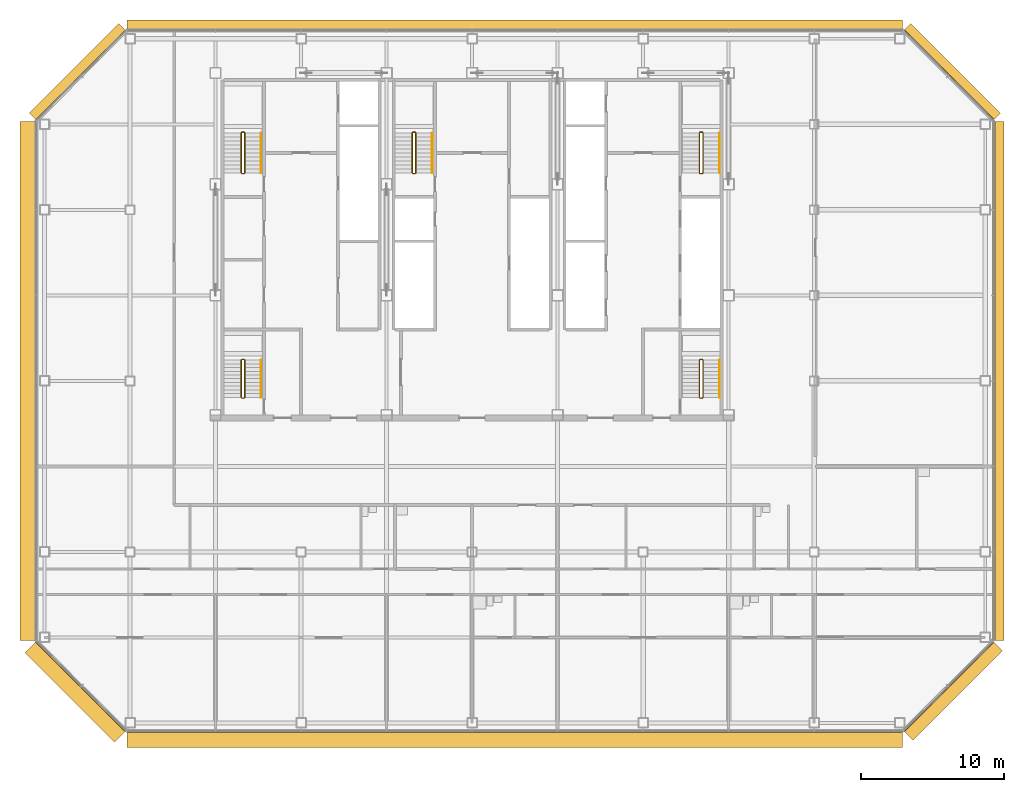
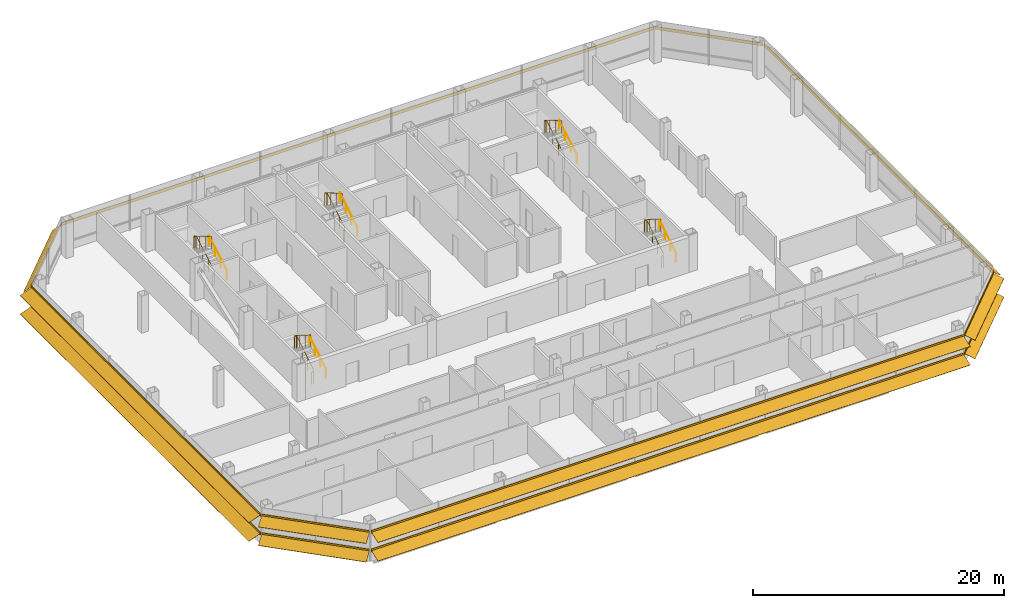
# One storey, part 23 of 24: 10 railings, 8 shading devices.
"""IFC4 building model written with IfcOpenShell, lengths in metres."""

from ifc_helpers import new_model, si_unit, direction, frame, origin, origin_2d, place, context, subcontext, project, spatial, polyline, circle, outline, composite_profile, extrude, material, type_object, element, save


model = new_model("IFC4")

# Units and contexts
model_context = context("Model", 3, precision=1e-05, world=origin(), true_north=direction((0.0, 1.0)))
body_context = subcontext(model_context, "Body", "Model", "MODEL_VIEW")
ifc_project = project(units=[si_unit("LENGTHUNIT", "METRE"), si_unit("AREAUNIT", "SQUARE_METRE"), si_unit("VOLUMEUNIT", "CUBIC_METRE"), si_unit("PLANEANGLEUNIT", "RADIAN"), si_unit("MASSUNIT", "GRAM", prefix="KILO")], contexts=[model_context])

# Site, building, storey
site_placement = place(None, origin())
site = spatial("IfcSite", under=ifc_project, at=site_placement, CompositionType="ELEMENT")
building_placement = place(site_placement, origin())
building = spatial("IfcBuilding", under=site, at=building_placement, Name="Sorahane Residences", CompositionType="ELEMENT")
storey_placement = place(building_placement, frame((0.0, 0.0, 174.39990234375)))
storey = spatial("IfcBuildingStorey", under=building, at=storey_placement, Name="L40", CompositionType="ELEMENT", Elevation=174.39990234375)

# Shading devices
ifc_material_1 = material(Name="Terracotta anodised aluminium", Category="masonry")
shading_device_type_1 = type_object("IfcShadingDeviceType", Name="Louvre sunshade blade E terracotta aluminium 700", PredefinedType="JALOUSIE", material=ifc_material_1)
shading_device_1_placement = place(storey_placement, frame((60.60009765625, 5.801513671875, 2.7001953125), z_axis=(0.0, 1.0, 0.0), x_axis=(-1.0, 0.0, 0.0)))
element("IfcShadingDevice", 1, at=shading_device_1_placement, inside=storey, type_object=shading_device_type_1, Name="Louvre sunshade blade bank E L40 E1", PredefinedType="JALOUSIE", context=body_context, shape_type="SweptSolid", body=[
    extrude(outline(polyline([(-0.719970703125, -0.49365234375), (-0.719970703125, -0.523681640625), (-0.080078125, -0.05859375), (-0.080078125, -0.14990234375), (-0.02001953125, -0.14990234375), (-0.02001953125, -0.014892578125), (-0.02001953125, 0.014892578125), (-0.02001953125, 0.14990234375), (-0.080078125, 0.14990234375), (-0.080078125, -0.028564453125), (-0.719970703125, -0.49365234375)])), origin(), (0.0, 0.0, 1.0), 36.39697265625),
])
ifc_material_2 = material(Name="Terracotta anodised aluminium", Category="masonry")
shading_device_type_2 = type_object("IfcShadingDeviceType", Name="Louvre sunshade blade N terracotta aluminium 700", PredefinedType="JALOUSIE", material=ifc_material_2)
shading_device_2_placement = place(storey_placement, frame((54.198486328125, 48.60009765625, 2.7001953125), z_axis=(-1.0, 0.0, 0.0), x_axis=(0.0, -1.0, 0.0)))
element("IfcShadingDevice", 2, at=shading_device_2_placement, inside=storey, type_object=shading_device_type_2, Name="Louvre sunshade blade bank N L40 N1", PredefinedType="JALOUSIE", context=body_context, shape_type="SweptSolid", body=[
    extrude(outline(polyline([(-0.719970703125, -0.660888671875), (-0.719970703125, -0.69091796875), (-0.080078125, -0.072998046875), (-0.080078125, -0.14990234375), (-0.02001953125, -0.14990234375), (-0.02001953125, -0.014892578125), (-0.02001953125, 0.014892578125), (-0.02001953125, 0.14990234375), (-0.080078125, 0.14990234375), (-0.080078125, -0.04296875), (-0.719970703125, -0.660888671875)])), origin(), (0.0, 0.0, 1.0), 54.39697265625),
])
ifc_material_3 = material(Name="Terracotta anodised aluminium", Category="masonry")
shading_device_type_3 = type_object("IfcShadingDeviceType", Name="Louvre sunshade blade NE terracotta aluminium 700", PredefinedType="JALOUSIE", material=ifc_material_3)
shading_device_3_placement = place(storey_placement, frame((60.564697265625, 42.283935546875, 2.7001953125), z_axis=(-0.707106781187, 0.707106781187, 0.0), x_axis=(-0.707106781187, -0.707106781187, 0.0)))
element("IfcShadingDevice", 3, at=shading_device_3_placement, inside=storey, type_object=shading_device_type_3, Name="Louvre sunshade blade bank NE L40 NE1", PredefinedType="JALOUSIE", context=body_context, shape_type="SweptSolid", body=[
    extrude(outline(polyline([(-0.719970703125, -0.572509765625), (-0.719970703125, -0.602294921875), (-0.080078125, -0.065185546875), (-0.080078125, -0.14990234375), (-0.02001953125, -0.14990234375), (-0.02001953125, -0.014892578125), (-0.02001953125, 0.014892578125), (-0.02001953125, 0.14990234375), (-0.080078125, 0.14990234375), (-0.080078125, -0.035400390625), (-0.719970703125, -0.572509765625)])), origin(), (0.0, 0.0, 1.0), 8.88232421875),
])
ifc_material_4 = material(Name="Terracotta anodised aluminium", Category="masonry")
shading_device_type_4 = type_object("IfcShadingDeviceType", Name="Louvre sunshade blade NW terracotta aluminium 700", PredefinedType="JALOUSIE", material=ifc_material_4)
shading_device_4_placement = place(storey_placement, frame((-0.283935546875, 48.564697265625, 2.7001953125), z_axis=(-0.707106781187, -0.707106781187, 0.0), x_axis=(0.707106781187, -0.707106781187, 0.0)))
element("IfcShadingDevice", 4, at=shading_device_4_placement, inside=storey, type_object=shading_device_type_4, Name="Louvre sunshade blade bank NW L40 NW1", PredefinedType="JALOUSIE", context=body_context, shape_type="SweptSolid", body=[
    extrude(outline(polyline([(-0.719970703125, -0.660888671875), (-0.719970703125, -0.69091796875), (-0.080078125, -0.072998046875), (-0.080078125, -0.14990234375), (-0.02001953125, -0.14990234375), (-0.02001953125, -0.014892578125), (-0.02001953125, 0.014892578125), (-0.02001953125, 0.14990234375), (-0.080078125, 0.14990234375), (-0.080078125, -0.04296875), (-0.719970703125, -0.660888671875)])), origin(), (0.0, 0.0, 1.0), 8.88232421875),
])
ifc_material_5 = material(Name="Terracotta anodised aluminium", Category="masonry")
shading_device_type_5 = type_object("IfcShadingDeviceType", Name="Louvre sunshade blade S terracotta aluminium 1100", PredefinedType="JALOUSIE", material=ifc_material_5)
shading_device_5_placement = place(storey_placement, frame((-0.198486328125, -0.60009765625, 0.900146484375), z_axis=(1.0, 0.0, 0.0), x_axis=(0.0, 1.0, 0.0)))
element("IfcShadingDevice", 5, at=shading_device_5_placement, inside=storey, type_object=shading_device_type_5, Name="Louvre sunshade blade bank S L40 S1", PredefinedType="JALOUSIE", context=body_context, shape_type="SweptSolid", body=[
    extrude(composite_profile([outline(polyline([(-1.1201171875, -0.385498046875), (-1.1201171875, -0.415283203125), (-0.080078125, -0.036865234375), (-0.080078125, -0.14990234375), (-0.02001953125, -0.14990234375), (-0.02001953125, -0.014892578125), (-0.02001953125, 0.014892578125), (-0.02001953125, 0.14990234375), (-0.080078125, 0.14990234375), (-0.080078125, -0.0068359375), (-1.1201171875, -0.385498046875)])), outline(polyline([(-1.1201171875, 1.41455078125), (-1.1201171875, 1.384521484375), (-0.080078125, 1.76318359375), (-0.080078125, 1.64990234375), (-0.02001953125, 1.64990234375), (-0.02001953125, 1.784912109375), (-0.02001953125, 1.81494140625), (-0.02001953125, 1.949951171875), (-0.080078125, 1.949951171875), (-0.080078125, 1.793212890625), (-1.1201171875, 1.41455078125)]))]), origin(), (0.0, 0.0, 1.0), 54.39697265625),
])
ifc_material_6 = material(Name="Terracotta anodised aluminium", Category="masonry")
shading_device_type_6 = type_object("IfcShadingDeviceType", Name="Louvre sunshade blade SE terracotta aluminium 900", PredefinedType="JALOUSIE", material=ifc_material_6)
shading_device_6_placement = place(storey_placement, frame((54.283935546875, -0.564697265625, 0.900146484375), z_axis=(0.707106781187, 0.707106781187, 0.0), x_axis=(-0.707106781187, 0.707106781187, 0.0)))
element("IfcShadingDevice", 6, at=shading_device_6_placement, inside=storey, type_object=shading_device_type_6, Name="Louvre sunshade blade bank SE L40 SE1", PredefinedType="JALOUSIE", context=body_context, shape_type="SweptSolid", body=[
    extrude(composite_profile([outline(polyline([(-0.919921875, -0.3486328125), (-0.919921875, -0.378662109375), (-0.080078125, -0.039306640625), (-0.080078125, -0.14990234375), (-0.02001953125, -0.14990234375), (-0.02001953125, -0.014892578125), (-0.02001953125, 0.014892578125), (-0.02001953125, 0.14990234375), (-0.080078125, 0.14990234375), (-0.080078125, -0.00927734375), (-0.919921875, -0.3486328125)])), outline(polyline([(-0.919921875, 1.451416015625), (-0.919921875, 1.42138671875), (-0.080078125, 1.7607421875), (-0.080078125, 1.64990234375), (-0.02001953125, 1.64990234375), (-0.02001953125, 1.784912109375), (-0.02001953125, 1.81494140625), (-0.02001953125, 1.949951171875), (-0.080078125, 1.949951171875), (-0.080078125, 1.790771484375), (-0.919921875, 1.451416015625)]))]), origin(), (0.0, 0.0, 1.0), 8.88232421875),
])
ifc_material_7 = material(Name="Terracotta anodised aluminium", Category="masonry")
shading_device_type_7 = type_object("IfcShadingDeviceType", Name="Louvre sunshade blade SW terracotta aluminium 1100", PredefinedType="JALOUSIE", material=ifc_material_7)
shading_device_7_placement = place(storey_placement, frame((-6.564697265625, 5.716064453125, 0.900146484375), z_axis=(0.707106781187, -0.707106781187, 0.0), x_axis=(0.707106781187, 0.707106781187, 0.0)))
element("IfcShadingDevice", 7, at=shading_device_7_placement, inside=storey, type_object=shading_device_type_7, Name="Louvre sunshade blade bank SW L40 SW1", PredefinedType="JALOUSIE", context=body_context, shape_type="SweptSolid", body=[
    extrude(composite_profile([outline(polyline([(-1.1201171875, -0.385498046875), (-1.1201171875, -0.415283203125), (-0.080078125, -0.036865234375), (-0.080078125, -0.14990234375), (-0.02001953125, -0.14990234375), (-0.02001953125, -0.014892578125), (-0.02001953125, 0.014892578125), (-0.02001953125, 0.14990234375), (-0.080078125, 0.14990234375), (-0.080078125, -0.0068359375), (-1.1201171875, -0.385498046875)])), outline(polyline([(-1.1201171875, 1.41455078125), (-1.1201171875, 1.384521484375), (-0.080078125, 1.76318359375), (-0.080078125, 1.64990234375), (-0.02001953125, 1.64990234375), (-0.02001953125, 1.784912109375), (-0.02001953125, 1.81494140625), (-0.02001953125, 1.949951171875), (-0.080078125, 1.949951171875), (-0.080078125, 1.793212890625), (-1.1201171875, 1.41455078125)]))]), origin(), (0.0, 0.0, 1.0), 8.88232421875),
])
ifc_material_8 = material(Name="Terracotta anodised aluminium", Category="masonry")
shading_device_type_8 = type_object("IfcShadingDeviceType", Name="Louvre sunshade blade W terracotta aluminium 1100", PredefinedType="JALOUSIE", material=ifc_material_8)
shading_device_8_placement = place(storey_placement, frame((-6.60009765625, 42.198486328125, 0.900146484375), z_axis=(0.0, -1.0, 0.0), x_axis=(1.0, 0.0, 0.0)))
element("IfcShadingDevice", 8, at=shading_device_8_placement, inside=storey, type_object=shading_device_type_8, Name="Louvre sunshade blade bank W L40 W1", PredefinedType="JALOUSIE", context=body_context, shape_type="SweptSolid", body=[
    extrude(composite_profile([outline(polyline([(-1.1201171875, -0.385498046875), (-1.1201171875, -0.415283203125), (-0.080078125, -0.036865234375), (-0.080078125, -0.14990234375), (-0.02001953125, -0.14990234375), (-0.02001953125, -0.014892578125), (-0.02001953125, 0.014892578125), (-0.02001953125, 0.14990234375), (-0.080078125, 0.14990234375), (-0.080078125, -0.0068359375), (-1.1201171875, -0.385498046875)])), outline(polyline([(-1.1201171875, 1.41455078125), (-1.1201171875, 1.384521484375), (-0.080078125, 1.76318359375), (-0.080078125, 1.64990234375), (-0.02001953125, 1.64990234375), (-0.02001953125, 1.784912109375), (-0.02001953125, 1.81494140625), (-0.02001953125, 1.949951171875), (-0.080078125, 1.949951171875), (-0.080078125, 1.793212890625), (-1.1201171875, 1.41455078125)]))]), origin(), (0.0, 0.0, 1.0), 36.39697265625),
])

# Railings
ifc_material_9 = material(Name="Steel Q355B", Category="steel")
railing_type_1 = type_object("IfcRailingType", Name="Stair guard 1200 Steel Q355B", PredefinedType="GUARDRAIL", material=ifc_material_9)
railing_1_placement = place(storey_placement, frame((7.85009765625, 38.550048828125, 0.0)))
element("IfcRailing", 9, at=railing_1_placement, inside=storey, type_object=railing_type_1, Name="L40 S1 stair guard 1", PredefinedType="GUARDRAIL", context=body_context, shape_type="SweptSolid", body=[
    extrude(circle(Radius=0.02392578125, at=origin_2d()), frame((0.0, 0.0, 1.17578125), z_axis=(1.0, 0.0, 0.0), x_axis=(0.0, 1.0, 0.0)), (0.0, 0.0, 1.0), 0.14990234375),
    extrude(circle(Radius=0.02392578125, at=origin_2d()), frame((0.14990234375, 0.0, 1.17578125), z_axis=(0.280456126637, 0.280456126637, 0.917980785237), x_axis=(-0.707106781187, 0.707106781187, 0.0)), (0.0, 0.0, 1.0), 0.178466796875),
    extrude(circle(Radius=0.02392578125, at=origin_2d()), frame((0.199951171875, 0.050048828125, 1.33984375), z_axis=(0.0, 0.863374499697, 0.504563646405), x_axis=(-1.0, 0.0, 0.0)), (0.0, 0.0, 1.0), 3.242919921875),
    extrude(circle(Radius=0.02392578125, at=origin_2d()), frame((0.199951171875, 2.849853515625, 2.97607421875), z_axis=(-0.707106781187, 0.707106781187, 0.0), x_axis=(-0.707106781187, -0.707106781187, 0.0)), (0.0, 0.0, 1.0), 0.07080078125),
    extrude(circle(Radius=0.02392578125, at=origin_2d()), frame((0.14990234375, 2.89990234375, 2.97607421875), z_axis=(-1.0, 0.0, 0.0), x_axis=(0.0, -1.0, 0.0)), (0.0, 0.0, 1.0), 0.14990234375),
    extrude(circle(Radius=0.02392578125, at=origin_2d()), frame((0.0, 2.89990234375, 2.97607421875), z_axis=(-0.280808744504, -0.280808744504, 0.917765164963), x_axis=(0.707106781187, -0.707106781187, 0.0)), (0.0, 0.0, 1.0), 0.17822265625),
    extrude(circle(Radius=0.02392578125, at=origin_2d()), frame((-0.050048828125, 2.849853515625, 3.1396484375), z_axis=(0.0, -0.863341702679, 0.504619762213), x_axis=(1.0, 0.0, 0.0)), (0.0, 0.0, 1.0), 3.242919921875),
    extrude(circle(Radius=0.02099609375, at=origin_2d()), origin(), (0.0, 0.0, 1.0), 1.15185546875),
    extrude(circle(Radius=0.02099609375, at=origin_2d()), frame((0.14990234375, 0.0, 0.0)), (0.0, 0.0, 1.0), 1.15185546875),
    extrude(circle(Radius=0.02099609375, at=origin_2d()), frame((0.199951171875, 0.050048828125, 0.163818359375)), (0.0, 0.0, 1.0), 1.15185546875),
    extrude(circle(Radius=0.02099609375, at=origin_2d()), frame((0.199951171875, 0.9833984375, 0.709228515625)), (0.0, 0.0, 1.0), 1.15185546875),
    extrude(circle(Radius=0.02099609375, at=origin_2d()), frame((0.199951171875, 1.91650390625, 1.254638671875)), (0.0, 0.0, 1.0), 1.15185546875),
    extrude(circle(Radius=0.02099609375, at=origin_2d()), frame((0.199951171875, 2.849853515625, 1.800048828125)), (0.0, 0.0, 1.0), 1.15185546875),
    extrude(circle(Radius=0.02099609375, at=origin_2d()), frame((0.14990234375, 2.89990234375, 1.800048828125)), (0.0, 0.0, 1.0), 1.15185546875),
    extrude(circle(Radius=0.02099609375, at=origin_2d()), frame((0.0, 2.89990234375, 1.800048828125)), (0.0, 0.0, 1.0), 1.15185546875),
    extrude(circle(Radius=0.02099609375, at=origin_2d()), frame((-0.050048828125, 2.849853515625, 1.963623046875)), (0.0, 0.0, 1.0), 1.15185546875),
    extrude(circle(Radius=0.02099609375, at=origin_2d()), frame((-0.050048828125, 1.91650390625, 2.509033203125)), (0.0, 0.0, 1.0), 1.15185546875),
    extrude(circle(Radius=0.02099609375, at=origin_2d()), frame((-0.050048828125, 0.9833984375, 3.0546875)), (0.0, 0.0, 1.0), 1.15185546875),
    extrude(circle(Radius=0.02099609375, at=origin_2d()), frame((-0.050048828125, 0.050048828125, 3.60009765625)), (0.0, 0.0, 1.0), 1.15185546875),
])
railing_2_placement = place(storey_placement, frame((40.0, 38.550048828125, 0.0)))
element("IfcRailing", 10, at=railing_2_placement, inside=storey, type_object=railing_type_1, Name="L40 S2 stair guard 1", PredefinedType="GUARDRAIL", context=body_context, shape_type="SweptSolid", body=[
    extrude(circle(Radius=0.02392578125, at=origin_2d()), frame((0.0, 0.0, 1.17578125), z_axis=(1.0, 0.0, 0.0), x_axis=(0.0, 1.0, 0.0)), (0.0, 0.0, 1.0), 0.14990234375),
    extrude(circle(Radius=0.02392578125, at=origin_2d()), frame((0.14990234375, 0.0, 1.17578125), z_axis=(0.280456126637, 0.280456126637, 0.917980785237), x_axis=(-0.707106781187, 0.707106781187, 0.0)), (0.0, 0.0, 1.0), 0.178466796875),
    extrude(circle(Radius=0.02392578125, at=origin_2d()), frame((0.199951171875, 0.050048828125, 1.33984375), z_axis=(0.0, 0.863374499697, 0.504563646405), x_axis=(-1.0, 0.0, 0.0)), (0.0, 0.0, 1.0), 3.242919921875),
    extrude(circle(Radius=0.02392578125, at=origin_2d()), frame((0.199951171875, 2.849853515625, 2.97607421875), z_axis=(-0.707106781187, 0.707106781187, 0.0), x_axis=(-0.707106781187, -0.707106781187, 0.0)), (0.0, 0.0, 1.0), 0.07080078125),
    extrude(circle(Radius=0.02392578125, at=origin_2d()), frame((0.14990234375, 2.89990234375, 2.97607421875), z_axis=(-1.0, 0.0, 0.0), x_axis=(0.0, -1.0, 0.0)), (0.0, 0.0, 1.0), 0.14990234375),
    extrude(circle(Radius=0.02392578125, at=origin_2d()), frame((0.0, 2.89990234375, 2.97607421875), z_axis=(-0.280808744504, -0.280808744504, 0.917765164963), x_axis=(0.707106781187, -0.707106781187, 0.0)), (0.0, 0.0, 1.0), 0.17822265625),
    extrude(circle(Radius=0.02392578125, at=origin_2d()), frame((-0.050048828125, 2.849853515625, 3.1396484375), z_axis=(0.0, -0.863341702679, 0.504619762213), x_axis=(1.0, 0.0, 0.0)), (0.0, 0.0, 1.0), 3.242919921875),
    extrude(circle(Radius=0.02099609375, at=origin_2d()), origin(), (0.0, 0.0, 1.0), 1.15185546875),
    extrude(circle(Radius=0.02099609375, at=origin_2d()), frame((0.14990234375, 0.0, 0.0)), (0.0, 0.0, 1.0), 1.15185546875),
    extrude(circle(Radius=0.02099609375, at=origin_2d()), frame((0.199951171875, 0.050048828125, 0.163818359375)), (0.0, 0.0, 1.0), 1.15185546875),
    extrude(circle(Radius=0.02099609375, at=origin_2d()), frame((0.199951171875, 0.9833984375, 0.709228515625)), (0.0, 0.0, 1.0), 1.15185546875),
    extrude(circle(Radius=0.02099609375, at=origin_2d()), frame((0.199951171875, 1.91650390625, 1.254638671875)), (0.0, 0.0, 1.0), 1.15185546875),
    extrude(circle(Radius=0.02099609375, at=origin_2d()), frame((0.199951171875, 2.849853515625, 1.800048828125)), (0.0, 0.0, 1.0), 1.15185546875),
    extrude(circle(Radius=0.02099609375, at=origin_2d()), frame((0.14990234375, 2.89990234375, 1.800048828125)), (0.0, 0.0, 1.0), 1.15185546875),
    extrude(circle(Radius=0.02099609375, at=origin_2d()), frame((0.0, 2.89990234375, 1.800048828125)), (0.0, 0.0, 1.0), 1.15185546875),
    extrude(circle(Radius=0.02099609375, at=origin_2d()), frame((-0.050048828125, 2.849853515625, 1.963623046875)), (0.0, 0.0, 1.0), 1.15185546875),
    extrude(circle(Radius=0.02099609375, at=origin_2d()), frame((-0.050048828125, 1.91650390625, 2.509033203125)), (0.0, 0.0, 1.0), 1.15185546875),
    extrude(circle(Radius=0.02099609375, at=origin_2d()), frame((-0.050048828125, 0.9833984375, 3.0546875)), (0.0, 0.0, 1.0), 1.15185546875),
    extrude(circle(Radius=0.02099609375, at=origin_2d()), frame((-0.050048828125, 0.050048828125, 3.60009765625)), (0.0, 0.0, 1.0), 1.15185546875),
])
railing_3_placement = place(storey_placement, frame((19.85009765625, 38.550048828125, 0.0)))
element("IfcRailing", 11, at=railing_3_placement, inside=storey, type_object=railing_type_1, Name="L40 S3 stair guard 1", PredefinedType="GUARDRAIL", context=body_context, shape_type="SweptSolid", body=[
    extrude(circle(Radius=0.02392578125, at=origin_2d()), frame((0.0, 0.0, 1.17578125), z_axis=(1.0, 0.0, 0.0), x_axis=(0.0, 1.0, 0.0)), (0.0, 0.0, 1.0), 0.14990234375),
    extrude(circle(Radius=0.02392578125, at=origin_2d()), frame((0.14990234375, 0.0, 1.17578125), z_axis=(0.280456126637, 0.280456126637, 0.917980785237), x_axis=(-0.707106781187, 0.707106781187, 0.0)), (0.0, 0.0, 1.0), 0.178466796875),
    extrude(circle(Radius=0.02392578125, at=origin_2d()), frame((0.199951171875, 0.050048828125, 1.33984375), z_axis=(0.0, 0.863374499697, 0.504563646405), x_axis=(-1.0, 0.0, 0.0)), (0.0, 0.0, 1.0), 3.242919921875),
    extrude(circle(Radius=0.02392578125, at=origin_2d()), frame((0.199951171875, 2.849853515625, 2.97607421875), z_axis=(-0.707106781187, 0.707106781187, 0.0), x_axis=(-0.707106781187, -0.707106781187, 0.0)), (0.0, 0.0, 1.0), 0.07080078125),
    extrude(circle(Radius=0.02392578125, at=origin_2d()), frame((0.14990234375, 2.89990234375, 2.97607421875), z_axis=(-1.0, 0.0, 0.0), x_axis=(0.0, -1.0, 0.0)), (0.0, 0.0, 1.0), 0.14990234375),
    extrude(circle(Radius=0.02392578125, at=origin_2d()), frame((0.0, 2.89990234375, 2.97607421875), z_axis=(-0.280808744504, -0.280808744504, 0.917765164963), x_axis=(0.707106781187, -0.707106781187, 0.0)), (0.0, 0.0, 1.0), 0.17822265625),
    extrude(circle(Radius=0.02392578125, at=origin_2d()), frame((-0.050048828125, 2.849853515625, 3.1396484375), z_axis=(0.0, -0.863341702679, 0.504619762213), x_axis=(1.0, 0.0, 0.0)), (0.0, 0.0, 1.0), 3.242919921875),
    extrude(circle(Radius=0.02099609375, at=origin_2d()), origin(), (0.0, 0.0, 1.0), 1.15185546875),
    extrude(circle(Radius=0.02099609375, at=origin_2d()), frame((0.14990234375, 0.0, 0.0)), (0.0, 0.0, 1.0), 1.15185546875),
    extrude(circle(Radius=0.02099609375, at=origin_2d()), frame((0.199951171875, 0.050048828125, 0.163818359375)), (0.0, 0.0, 1.0), 1.15185546875),
    extrude(circle(Radius=0.02099609375, at=origin_2d()), frame((0.199951171875, 0.9833984375, 0.709228515625)), (0.0, 0.0, 1.0), 1.15185546875),
    extrude(circle(Radius=0.02099609375, at=origin_2d()), frame((0.199951171875, 1.91650390625, 1.254638671875)), (0.0, 0.0, 1.0), 1.15185546875),
    extrude(circle(Radius=0.02099609375, at=origin_2d()), frame((0.199951171875, 2.849853515625, 1.800048828125)), (0.0, 0.0, 1.0), 1.15185546875),
    extrude(circle(Radius=0.02099609375, at=origin_2d()), frame((0.14990234375, 2.89990234375, 1.800048828125)), (0.0, 0.0, 1.0), 1.15185546875),
    extrude(circle(Radius=0.02099609375, at=origin_2d()), frame((0.0, 2.89990234375, 1.800048828125)), (0.0, 0.0, 1.0), 1.15185546875),
    extrude(circle(Radius=0.02099609375, at=origin_2d()), frame((-0.050048828125, 2.849853515625, 1.963623046875)), (0.0, 0.0, 1.0), 1.15185546875),
    extrude(circle(Radius=0.02099609375, at=origin_2d()), frame((-0.050048828125, 1.91650390625, 2.509033203125)), (0.0, 0.0, 1.0), 1.15185546875),
    extrude(circle(Radius=0.02099609375, at=origin_2d()), frame((-0.050048828125, 0.9833984375, 3.0546875)), (0.0, 0.0, 1.0), 1.15185546875),
    extrude(circle(Radius=0.02099609375, at=origin_2d()), frame((-0.050048828125, 0.050048828125, 3.60009765625)), (0.0, 0.0, 1.0), 1.15185546875),
])
railing_4_placement = place(storey_placement, frame((7.85009765625, 22.800048828125, 0.0)))
element("IfcRailing", 12, at=railing_4_placement, inside=storey, type_object=railing_type_1, Name="L40 S4 stair guard 1", PredefinedType="GUARDRAIL", context=body_context, shape_type="SweptSolid", body=[
    extrude(circle(Radius=0.02392578125, at=origin_2d()), frame((0.0, 0.0, 1.17578125), z_axis=(1.0, 0.0, 0.0), x_axis=(0.0, 1.0, 0.0)), (0.0, 0.0, 1.0), 0.14990234375),
    extrude(circle(Radius=0.02392578125, at=origin_2d()), frame((0.14990234375, 0.0, 1.17578125), z_axis=(0.280456126637, 0.280456126637, 0.917980785237), x_axis=(-0.707106781187, 0.707106781187, 0.0)), (0.0, 0.0, 1.0), 0.178466796875),
    extrude(circle(Radius=0.02392578125, at=origin_2d()), frame((0.199951171875, 0.050048828125, 1.33984375), z_axis=(0.0, 0.846337672412, 0.532646734952), x_axis=(-1.0, 0.0, 0.0)), (0.0, 0.0, 1.0), 3.07177734375),
    extrude(circle(Radius=0.02392578125, at=origin_2d()), frame((0.199951171875, 2.64990234375, 2.97607421875), z_axis=(-0.707106781187, 0.707106781187, 0.0), x_axis=(-0.707106781187, -0.707106781187, 0.0)), (0.0, 0.0, 1.0), 0.07080078125),
    extrude(circle(Radius=0.02392578125, at=origin_2d()), frame((0.14990234375, 2.699951171875, 2.97607421875), z_axis=(-1.0, 0.0, 0.0), x_axis=(0.0, -1.0, 0.0)), (0.0, 0.0, 1.0), 0.14990234375),
    extrude(circle(Radius=0.02392578125, at=origin_2d()), frame((0.0, 2.699951171875, 2.97607421875), z_axis=(-0.280808744504, -0.280808744504, 0.917765164963), x_axis=(0.707106781187, -0.707106781187, 0.0)), (0.0, 0.0, 1.0), 0.17822265625),
    extrude(circle(Radius=0.02392578125, at=origin_2d()), frame((-0.050048828125, 2.64990234375, 3.1396484375), z_axis=(0.0, -0.846301844409, 0.532703658848), x_axis=(1.0, 0.0, 0.0)), (0.0, 0.0, 1.0), 3.072021484375),
    extrude(circle(Radius=0.02099609375, at=origin_2d()), origin(), (0.0, 0.0, 1.0), 1.15185546875),
    extrude(circle(Radius=0.02099609375, at=origin_2d()), frame((0.14990234375, 0.0, 0.0)), (0.0, 0.0, 1.0), 1.15185546875),
    extrude(circle(Radius=0.02099609375, at=origin_2d()), frame((0.199951171875, 0.050048828125, 0.163818359375)), (0.0, 0.0, 1.0), 1.15185546875),
    extrude(circle(Radius=0.02099609375, at=origin_2d()), frame((0.199951171875, 0.916748046875, 0.709228515625)), (0.0, 0.0, 1.0), 1.15185546875),
    extrude(circle(Radius=0.02099609375, at=origin_2d()), frame((0.199951171875, 1.783203125, 1.254638671875)), (0.0, 0.0, 1.0), 1.15185546875),
    extrude(circle(Radius=0.02099609375, at=origin_2d()), frame((0.199951171875, 2.64990234375, 1.800048828125)), (0.0, 0.0, 1.0), 1.15185546875),
    extrude(circle(Radius=0.02099609375, at=origin_2d()), frame((0.14990234375, 2.699951171875, 1.800048828125)), (0.0, 0.0, 1.0), 1.15185546875),
    extrude(circle(Radius=0.02099609375, at=origin_2d()), frame((0.0, 2.699951171875, 1.800048828125)), (0.0, 0.0, 1.0), 1.15185546875),
    extrude(circle(Radius=0.02099609375, at=origin_2d()), frame((-0.050048828125, 2.64990234375, 1.963623046875)), (0.0, 0.0, 1.0), 1.15185546875),
    extrude(circle(Radius=0.02099609375, at=origin_2d()), frame((-0.050048828125, 1.783203125, 2.509033203125)), (0.0, 0.0, 1.0), 1.15185546875),
    extrude(circle(Radius=0.02099609375, at=origin_2d()), frame((-0.050048828125, 0.916748046875, 3.0546875)), (0.0, 0.0, 1.0), 1.15185546875),
    extrude(circle(Radius=0.02099609375, at=origin_2d()), frame((-0.050048828125, 0.050048828125, 3.60009765625)), (0.0, 0.0, 1.0), 1.15185546875),
])
railing_5_placement = place(storey_placement, frame((40.0, 22.800048828125, 0.0)))
element("IfcRailing", 13, at=railing_5_placement, inside=storey, type_object=railing_type_1, Name="L40 S5 stair guard 1", PredefinedType="GUARDRAIL", context=body_context, shape_type="SweptSolid", body=[
    extrude(circle(Radius=0.02392578125, at=origin_2d()), frame((0.0, 0.0, 1.17578125), z_axis=(1.0, 0.0, 0.0), x_axis=(0.0, 1.0, 0.0)), (0.0, 0.0, 1.0), 0.14990234375),
    extrude(circle(Radius=0.02392578125, at=origin_2d()), frame((0.14990234375, 0.0, 1.17578125), z_axis=(0.280456126637, 0.280456126637, 0.917980785237), x_axis=(-0.707106781187, 0.707106781187, 0.0)), (0.0, 0.0, 1.0), 0.178466796875),
    extrude(circle(Radius=0.02392578125, at=origin_2d()), frame((0.199951171875, 0.050048828125, 1.33984375), z_axis=(0.0, 0.846337672412, 0.532646734952), x_axis=(-1.0, 0.0, 0.0)), (0.0, 0.0, 1.0), 3.07177734375),
    extrude(circle(Radius=0.02392578125, at=origin_2d()), frame((0.199951171875, 2.64990234375, 2.97607421875), z_axis=(-0.707106781187, 0.707106781187, 0.0), x_axis=(-0.707106781187, -0.707106781187, 0.0)), (0.0, 0.0, 1.0), 0.07080078125),
    extrude(circle(Radius=0.02392578125, at=origin_2d()), frame((0.14990234375, 2.699951171875, 2.97607421875), z_axis=(-1.0, 0.0, 0.0), x_axis=(0.0, -1.0, 0.0)), (0.0, 0.0, 1.0), 0.14990234375),
    extrude(circle(Radius=0.02392578125, at=origin_2d()), frame((0.0, 2.699951171875, 2.97607421875), z_axis=(-0.280808744504, -0.280808744504, 0.917765164963), x_axis=(0.707106781187, -0.707106781187, 0.0)), (0.0, 0.0, 1.0), 0.17822265625),
    extrude(circle(Radius=0.02392578125, at=origin_2d()), frame((-0.050048828125, 2.64990234375, 3.1396484375), z_axis=(0.0, -0.846301844409, 0.532703658848), x_axis=(1.0, 0.0, 0.0)), (0.0, 0.0, 1.0), 3.072021484375),
    extrude(circle(Radius=0.02099609375, at=origin_2d()), origin(), (0.0, 0.0, 1.0), 1.15185546875),
    extrude(circle(Radius=0.02099609375, at=origin_2d()), frame((0.14990234375, 0.0, 0.0)), (0.0, 0.0, 1.0), 1.15185546875),
    extrude(circle(Radius=0.02099609375, at=origin_2d()), frame((0.199951171875, 0.050048828125, 0.163818359375)), (0.0, 0.0, 1.0), 1.15185546875),
    extrude(circle(Radius=0.02099609375, at=origin_2d()), frame((0.199951171875, 0.916748046875, 0.709228515625)), (0.0, 0.0, 1.0), 1.15185546875),
    extrude(circle(Radius=0.02099609375, at=origin_2d()), frame((0.199951171875, 1.783203125, 1.254638671875)), (0.0, 0.0, 1.0), 1.15185546875),
    extrude(circle(Radius=0.02099609375, at=origin_2d()), frame((0.199951171875, 2.64990234375, 1.800048828125)), (0.0, 0.0, 1.0), 1.15185546875),
    extrude(circle(Radius=0.02099609375, at=origin_2d()), frame((0.14990234375, 2.699951171875, 1.800048828125)), (0.0, 0.0, 1.0), 1.15185546875),
    extrude(circle(Radius=0.02099609375, at=origin_2d()), frame((0.0, 2.699951171875, 1.800048828125)), (0.0, 0.0, 1.0), 1.15185546875),
    extrude(circle(Radius=0.02099609375, at=origin_2d()), frame((-0.050048828125, 2.64990234375, 1.963623046875)), (0.0, 0.0, 1.0), 1.15185546875),
    extrude(circle(Radius=0.02099609375, at=origin_2d()), frame((-0.050048828125, 1.783203125, 2.509033203125)), (0.0, 0.0, 1.0), 1.15185546875),
    extrude(circle(Radius=0.02099609375, at=origin_2d()), frame((-0.050048828125, 0.916748046875, 3.0546875)), (0.0, 0.0, 1.0), 1.15185546875),
    extrude(circle(Radius=0.02099609375, at=origin_2d()), frame((-0.050048828125, 0.050048828125, 3.60009765625)), (0.0, 0.0, 1.0), 1.15185546875),
])
ifc_material_10 = material(Name="Steel Q355B", Category="steel")
railing_type_2 = type_object("IfcRailingType", Name="Stair handrail 900 Steel Q355B", PredefinedType="HANDRAIL", material=ifc_material_10)
for number, where, name in (
    (14, (9.199951171875, 38.60009765625, 0.163818359375), "L40 S1 stair handrail 1"),
    (15, (41.35009765625, 38.60009765625, 0.163818359375), "L40 S2 stair handrail 1"),
    (16, (21.199951171875, 38.60009765625, 0.163818359375), "L40 S3 stair handrail 1"),
):
    element("IfcRailing", number, at=place(storey_placement, frame(where)), inside=storey, type_object=railing_type_2, Name=name, PredefinedType="HANDRAIL", context=body_context, shape_type="SweptSolid", body=[
        extrude(circle(Radius=0.02392578125, at=origin_2d()), frame((0.0, 0.0, 0.8759765625), z_axis=(0.0, 0.863374499697, 0.504563646405), x_axis=(-1.0, 0.0, 0.0)), (0.0, 0.0, 1.0), 3.242919921875),
        extrude(circle(Radius=0.02099609375, at=origin_2d()), origin(), (0.0, 0.0, 1.0), 0.851806640625),
        extrude(circle(Radius=0.02099609375, at=origin_2d()), frame((0.0, 0.933349609375, 0.54541015625)), (0.0, 0.0, 1.0), 0.851806640625),
        extrude(circle(Radius=0.02099609375, at=origin_2d()), frame((0.0, 1.866455078125, 1.0908203125)), (0.0, 0.0, 1.0), 0.851806640625),
        extrude(circle(Radius=0.02099609375, at=origin_2d()), frame((0.0, 2.7998046875, 1.63623046875)), (0.0, 0.0, 1.0), 0.851806640625),
    ])
for number, where, name in (
    (17, (9.199951171875, 22.85009765625, 0.163818359375), "L40 S4 stair handrail 1"),
    (18, (41.35009765625, 22.85009765625, 0.163818359375), "L40 S5 stair handrail 1"),
):
    element("IfcRailing", number, at=place(storey_placement, frame(where)), inside=storey, type_object=railing_type_2, Name=name, PredefinedType="HANDRAIL", context=body_context, shape_type="SweptSolid", body=[
        extrude(circle(Radius=0.02392578125, at=origin_2d()), frame((0.0, 0.0, 0.8759765625), z_axis=(0.0, 0.846337672412, 0.532646734952), x_axis=(-1.0, 0.0, 0.0)), (0.0, 0.0, 1.0), 3.07177734375),
        extrude(circle(Radius=0.02099609375, at=origin_2d()), origin(), (0.0, 0.0, 1.0), 0.851806640625),
        extrude(circle(Radius=0.02099609375, at=origin_2d()), frame((0.0, 0.86669921875, 0.54541015625)), (0.0, 0.0, 1.0), 0.851806640625),
        extrude(circle(Radius=0.02099609375, at=origin_2d()), frame((0.0, 1.733154296875, 1.0908203125)), (0.0, 0.0, 1.0), 0.851806640625),
        extrude(circle(Radius=0.02099609375, at=origin_2d()), frame((0.0, 2.599853515625, 1.63623046875)), (0.0, 0.0, 1.0), 0.851806640625),
    ])

save(model, "model.ifc")
